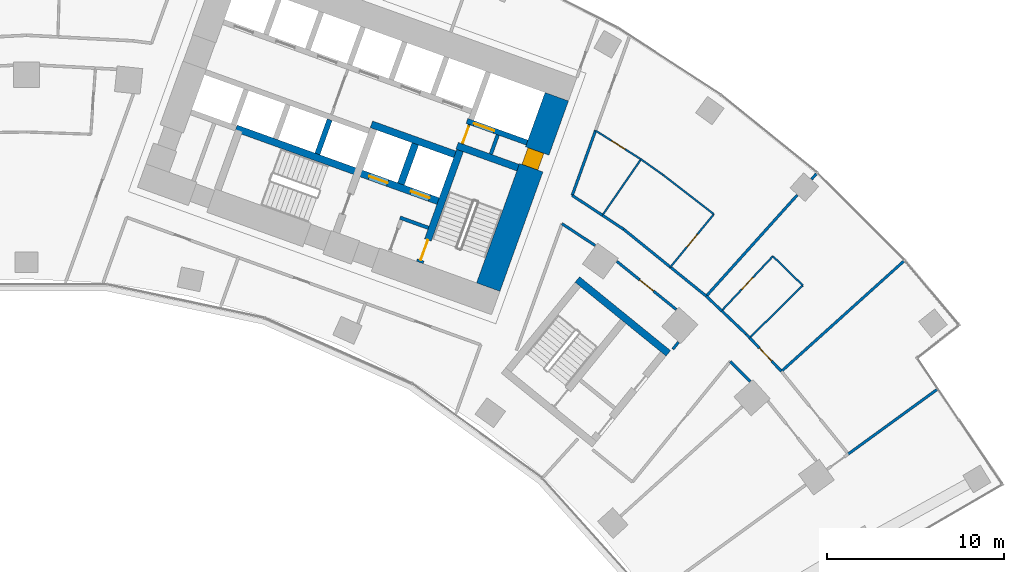
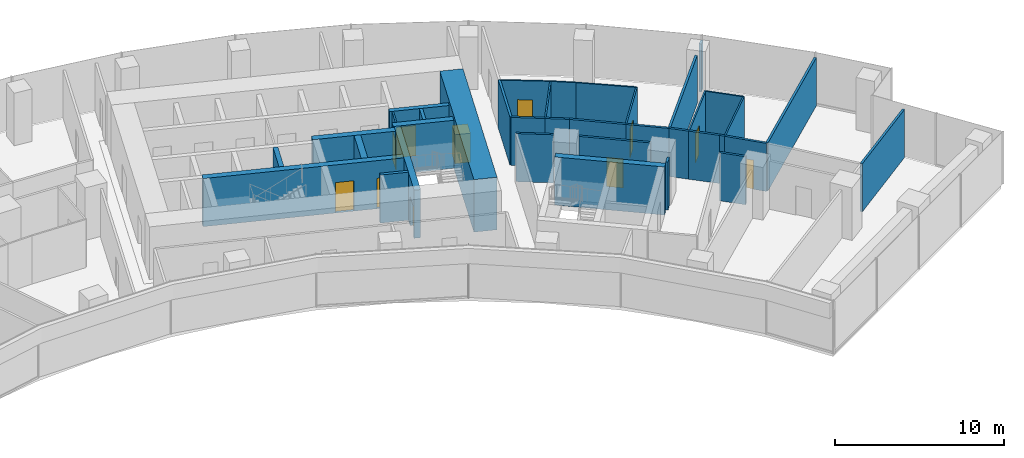
# One storey, part 17 of 21: 37 walls, 11 doors, 11 openings.
"""IFC4 building model written with IfcOpenShell, lengths in metres."""

from ifc_helpers import new_model, si_unit, direction, frame, frame_2d, origin, place, context, subcontext, project, spatial, rectangle, extrude, material, layer, layer_set, type_object, element, fill, save


model = new_model("IFC4")

# Units and contexts
model_context = context("Model", 3, precision=1e-05, world=origin(), true_north=direction((0.0, 1.0)))
body_context = subcontext(model_context, "Body", "Model", "MODEL_VIEW")
ifc_project = project(units=[si_unit("LENGTHUNIT", "METRE"), si_unit("AREAUNIT", "SQUARE_METRE"), si_unit("VOLUMEUNIT", "CUBIC_METRE"), si_unit("PLANEANGLEUNIT", "RADIAN"), si_unit("MASSUNIT", "GRAM", prefix="KILO")], contexts=[model_context])

# Site, building, storey
site_placement = place(None, origin())
site = spatial("IfcSite", under=ifc_project, at=site_placement, CompositionType="ELEMENT")
building_placement = place(site_placement, origin())
building = spatial("IfcBuilding", under=site, at=building_placement, Name="Stone Belt Terrace Tower", CompositionType="ELEMENT")
storey_placement = place(building_placement, frame((0.0, 0.0, 117.39990234375)))
storey = spatial("IfcBuildingStorey", under=building, at=storey_placement, Name="L28", CompositionType="ELEMENT", Elevation=117.39990234375)

# Wall, opening, door
ifc_material_1 = material(Name="Plasterboard partition")
ifc_layer_1 = layer(ifc_material_1, 0.10009765625)
ifc_layer_set_1 = layer_set([ifc_layer_1], Name="Core partition 100")
wall_type_1 = type_object("IfcWallType", Name="Core partition 100", PredefinedType="PARTITIONING", material=ifc_layer_set_1)
wall_1_placement = place(storey_placement, frame((24.555908203125, 51.10400390625, 0.0), z_axis=(0.0, 0.0, 1.0), x_axis=(0.338621735342, 0.94092258999, 0.0)))
wall_1 = element("IfcWall", 1, at=wall_1_placement, inside=storey, type_object=wall_type_1, Name="Core B wall", PredefinedType="PARTITIONING", context=body_context, shape_type="SweptSolid", body=[
    extrude(rectangle(XDim=1.14990234375, YDim=0.10009765625, at=frame_2d((0.574951171875, 0.0))), origin(), (0.0, 0.0, 1.0), 3.47998046875),
])
opening_1_placement = place(wall_1_placement, frame((0.050048828125, 0.0, 0.0)))
opening_1 = element("IfcOpeningElement", 2, at=opening_1_placement, cuts=wall_1, Name="Opening L28-C13", PredefinedType="OPENING", context=body_context, shape_type="SweptSolid", body=[
    extrude(rectangle(XDim=1.0, YDim=2.10009765625, at=frame_2d((0.5, 1.050048828125))), frame((0.0, 0.06005859375, 0.0), z_axis=(0.0, -1.0, 0.0), x_axis=(1.0, 0.0, 0.0)), (0.0, 0.0, 1.0), 0.1201171875),
])
ifc_material_2 = material(Name="Timber door leaf", Category="wood")
door_type_1 = type_object("IfcDoorType", Name="Core room door 1000", OperationType="SINGLE_SWING_LEFT", PredefinedType="DOOR", material=ifc_material_2)
door_1_placement = place(opening_1_placement, origin())
door_1 = element("IfcDoor", 3, at=door_1_placement, inside=storey, type_object=door_type_1, Name="Service lift lobby door core B", OperationType="SINGLE_SWING_RIGHT", OverallHeight=2.10009765625, OverallWidth=1.0, PredefinedType="DOOR", context=body_context, shape_type="SweptSolid", body=[
    extrude(rectangle(XDim=1.0, YDim=2.10009765625, at=frame_2d((0.5, 1.050048828125))), frame((0.0, 0.02490234375, 0.0), z_axis=(0.0, -1.0, 0.0), x_axis=(1.0, 0.0, 0.0)), (0.0, 0.0, 1.0), 0.050048828125),
])
fill(opening_1, door_1)

ifc_material_3 = material(Name="Concrete B80", Category="concrete")
ifc_layer_2 = layer(ifc_material_3, 1.39990234375)
ifc_layer_set_2 = layer_set([ifc_layer_2], Name="Core wall 1400 B80")
wall_type_2 = type_object("IfcWallType", Name="Core wall 1400 B80", PredefinedType="SHEAR", material=ifc_layer_set_2)
wall_2_placement = place(storey_placement, frame((26.00927734375, 43.03515625, 0.0), z_axis=(0.0, 0.0, 1.0), x_axis=(0.338625431531, 0.940921259788, 0.0)))
wall_2 = element("IfcWall", 4, at=wall_2_placement, inside=storey, type_object=wall_type_2, Name="Core B wall end_b L28", PredefinedType="SHEAR", context=body_context, shape_type="SweptSolid", body=[
    extrude(rectangle(XDim=11.400146484375, YDim=1.39990234375, at=frame_2d((5.7001953125, 0.0))), origin(), (0.0, 0.0, 1.0), 3.800048828125),
])
opening_2_placement = place(wall_2_placement, frame((7.14990234375, 0.0, 0.0)))
opening_2 = element("IfcOpeningElement", 5, at=opening_2_placement, cuts=wall_2, Name="Opening L28-C12", PredefinedType="OPENING", context=body_context, shape_type="SweptSolid", body=[
    extrude(rectangle(XDim=1.0, YDim=2.10009765625, at=frame_2d((0.5, 1.050048828125))), frame((0.0, 0.7099609375, 0.0), z_axis=(0.0, -1.0, 0.0), x_axis=(1.0, 0.0, 0.0)), (0.0, 0.0, 1.0), 1.419921875),
])
door_2_placement = place(opening_2_placement, origin())
door_2 = element("IfcDoor", 6, at=door_2_placement, inside=storey, type_object=door_type_1, Name="Door to Telecommunications riser room core B", OperationType="SINGLE_SWING_LEFT", OverallHeight=2.10009765625, OverallWidth=1.0, PredefinedType="DOOR", context=body_context, shape_type="SweptSolid", body=[
    extrude(rectangle(XDim=1.0, YDim=2.10009765625, at=frame_2d((0.5, 1.050048828125))), frame((0.0, 0.55517578125, 0.0), z_axis=(0.0, -1.0, 0.0), x_axis=(1.0, 0.0, 0.0)), (0.0, 0.0, 1.0), 0.949951171875),
])
fill(opening_2, door_2)

# Walls
ifc_layer_3 = layer(ifc_material_3, 0.39990234375)
ifc_layer_set_3 = layer_set([ifc_layer_3], Name="Fire-fighting lift shaft wall 400")
wall_type_3 = type_object("IfcWallType", Name="Fire-fighting lift shaft wall 400", PredefinedType="SHEAR", material=ifc_layer_set_3)
wall_3_placement = place(storey_placement, frame((24.130615234375, 50.512939453125, 0.0), z_axis=(0.0, 0.0, 1.0), x_axis=(-0.94091168377, 0.338652038744, 0.0)))
element("IfcWall", 7, at=wall_3_placement, inside=storey, type_object=wall_type_3, Name="Core B wall", PredefinedType="SHEAR", context=body_context, shape_type="SweptSolid", body=[
    extrude(rectangle(XDim=5.000244140625, YDim=0.39990234375, at=frame_2d((2.5, 0.0))), origin(), (0.0, 0.0, 1.0), 3.47998046875),
])
wall_4_placement = place(storey_placement, frame((21.0859375, 48.845458984375, 0.0), z_axis=(0.0, 0.0, 1.0), x_axis=(0.338629416206, 0.940919825745, 0.0)))
element("IfcWall", 8, at=wall_4_placement, inside=storey, type_object=wall_type_3, Name="Core B wall", PredefinedType="SHEAR", context=body_context, shape_type="SweptSolid", body=[
    extrude(rectangle(XDim=2.400146484375, YDim=0.39990234375, at=frame_2d((1.2001953125, 0.0))), origin(), (0.0, 0.0, 1.0), 3.47998046875),
])

# Wall, opening, door
ifc_layer_4 = layer(ifc_material_3, 0.300048828125)
ifc_layer_set_4 = layer_set([ifc_layer_4], Name="Lift shaft wall 300")
wall_type_4 = type_object("IfcWallType", Name="Lift shaft wall 300", PredefinedType="SHEAR", material=ifc_layer_set_4)
wall_5_placement = place(storey_placement, frame((28.195068359375, 51.17578125, 0.0), z_axis=(0.0, 0.0, 1.0), x_axis=(-0.940901243567, 0.338681044427, 0.0)))
wall_5 = element("IfcWall", 9, at=wall_5_placement, inside=storey, type_object=wall_type_4, Name="Core B wall", PredefinedType="SHEAR", context=body_context, shape_type="SweptSolid", body=[
    extrude(rectangle(XDim=3.599853515625, YDim=0.300048828125, at=frame_2d((1.7998046875, 0.0))), origin(), (0.0, 0.0, 1.0), 3.47998046875),
])
opening_3_placement = place(wall_5_placement, frame((1.969970703125, 0.0, 0.0)))
opening_3 = element("IfcOpeningElement", 10, at=opening_3_placement, cuts=wall_5, Name="Opening L28-LD18", PredefinedType="OPENING", context=body_context, shape_type="SweptSolid", body=[
    extrude(rectangle(XDim=1.199951171875, YDim=2.199951171875, at=frame_2d((0.60009765625, 1.10009765625))), frame((0.0, 0.159912109375, 0.0), z_axis=(0.0, -1.0, 0.0), x_axis=(1.0, 0.0, 0.0)), (0.0, 0.0, 1.0), 0.320068359375),
])
ifc_material_4 = material(Name="Stainless steel door leaf", Category="steel")
door_type_2 = type_object("IfcDoorType", Name="Landing door 1200", OperationType="SLIDING_TO_LEFT", PredefinedType="DOOR", material=ifc_material_4)
door_3_placement = place(opening_3_placement, origin())
door_3 = element("IfcDoor", 11, at=door_3_placement, inside=storey, type_object=door_type_2, Name="Landing door SV1 core B", OperationType="SLIDING_TO_LEFT", OverallHeight=2.199951171875, OverallWidth=1.199951171875, PredefinedType="DOOR", context=body_context, shape_type="SweptSolid", body=[
    extrude(rectangle(XDim=1.199951171875, YDim=2.199951171875, at=frame_2d((0.60009765625, 1.10009765625))), frame((0.0, 0.02490234375, 0.0), z_axis=(0.0, -1.0, 0.0), x_axis=(1.0, 0.0, 0.0)), (0.0, 0.0, 1.0), 0.050048828125),
])
fill(opening_3, door_3)

# Wall
wall_6_placement = place(storey_placement, frame((16.38134765625, 50.53857421875, 0.0), z_axis=(0.0, 0.0, 1.0), x_axis=(0.338681515556, 0.940901073982, 0.0)))
element("IfcWall", 12, at=wall_6_placement, inside=storey, type_object=wall_type_4, Name="Core B wall", PredefinedType="SHEAR", context=body_context, shape_type="SweptSolid", body=[
    extrude(rectangle(XDim=2.050048828125, YDim=0.300048828125, at=frame_2d((1.02490234375, 0.0))), origin(), (0.0, 0.0, 1.0), 3.47998046875),
])

# Wall, opening, door
ifc_material_5 = material(Name="Gypsum board partition")
ifc_layer_5 = layer(ifc_material_5, 0.10009765625)
ifc_layer_set_5 = layer_set([ifc_layer_5], Name="PARTITION 100")
wall_type_5 = type_object("IfcWallType", Name="PARTITION 100", PredefinedType="PARTITIONING", material=ifc_layer_set_5)
wall_7_placement = place(storey_placement, frame((34.614013671875, 50.237060546875, 0.0), z_axis=(0.0, 0.0, 1.0), x_axis=(-0.845571256143, 0.533862576686, 0.0)))
wall_7 = element("IfcWall", 13, at=wall_7_placement, inside=storey, type_object=wall_type_5, Name="L28/wall/i074", PredefinedType="PARTITIONING", context=body_context, shape_type="SweptSolid", body=[
    extrude(rectangle(XDim=3.02880859375, YDim=0.10009765625, at=frame_2d((1.514404296875, 0.0))), origin(), (0.0, 0.0, 1.0), 3.47998046875),
])
opening_4_placement = place(wall_7_placement, frame((1.064453125, 0.0, 0.0)))
opening_4 = element("IfcOpeningElement", 14, at=opening_4_placement, cuts=wall_7, Name="Opening D-B4-23", PredefinedType="OPENING", context=body_context, shape_type="SweptSolid", body=[
    extrude(rectangle(XDim=0.89990234375, YDim=2.10009765625, at=frame_2d((0.449951171875, 1.050048828125))), frame((0.0, 0.06005859375, 0.0), z_axis=(0.0, -1.0, 0.0), x_axis=(1.0, 0.0, 0.0)), (0.0, 0.0, 1.0), 0.1201171875),
])
door_type_3 = type_object("IfcDoorType", Name="OFFICE DOOR 900 X 2100", OperationType="NOTDEFINED", PredefinedType="DOOR", material=ifc_material_2)
door_4_placement = place(opening_4_placement, origin())
door_4 = element("IfcDoor", 15, at=door_4_placement, inside=storey, type_object=door_type_3, Name="L28/door/i23", OperationType="SINGLE_SWING_RIGHT", OverallHeight=2.10009765625, OverallWidth=0.89990234375, PredefinedType="DOOR", context=body_context, shape_type="SweptSolid", body=[
    extrude(rectangle(XDim=0.89990234375, YDim=2.10009765625, at=frame_2d((0.449951171875, 1.050048828125))), frame((0.0, 0.02490234375, 0.0), z_axis=(0.0, -1.0, 0.0), x_axis=(1.0, 0.0, 0.0)), (0.0, 0.0, 1.0), 0.050048828125),
])
fill(opening_4, door_4)

wall_8_placement = place(storey_placement, frame((36.27099609375, 44.162109375, 0.0), z_axis=(0.0, 0.0, 1.0), x_axis=(0.634542449737, 0.772888012251, 0.0)))
wall_8 = element("IfcWall", 16, at=wall_8_placement, inside=storey, type_object=wall_type_5, Name="L28/wall/i075", PredefinedType="PARTITIONING", context=body_context, shape_type="SweptSolid", body=[
    extrude(rectangle(XDim=3.859375, YDim=0.10009765625, at=frame_2d((1.9296875, 0.0))), origin(), (0.0, 0.0, 1.0), 3.47998046875),
])
opening_5_placement = place(wall_8_placement, frame((1.479736328125, 0.0, 0.0)))
opening_5 = element("IfcOpeningElement", 17, at=opening_5_placement, cuts=wall_8, Name="Opening D-B4-24", PredefinedType="OPENING", context=body_context, shape_type="SweptSolid", body=[
    extrude(rectangle(XDim=0.89990234375, YDim=2.10009765625, at=frame_2d((0.449951171875, 1.050048828125))), frame((0.0, 0.06005859375, 0.0), z_axis=(0.0, -1.0, 0.0), x_axis=(1.0, 0.0, 0.0)), (0.0, 0.0, 1.0), 0.1201171875),
])
door_5_placement = place(opening_5_placement, origin())
door_5 = element("IfcDoor", 18, at=door_5_placement, inside=storey, type_object=door_type_3, Name="L28/door/i24", OperationType="SINGLE_SWING_RIGHT", OverallHeight=2.10009765625, OverallWidth=0.89990234375, PredefinedType="DOOR", context=body_context, shape_type="SweptSolid", body=[
    extrude(rectangle(XDim=0.89990234375, YDim=2.10009765625, at=frame_2d((0.449951171875, 1.050048828125))), frame((0.0, 0.02490234375, 0.0), z_axis=(0.0, -1.0, 0.0), x_axis=(1.0, 0.0, 0.0)), (0.0, 0.0, 1.0), 0.050048828125),
])
fill(opening_5, door_5)

# Walls
wall_9_placement = place(storey_placement, frame((38.719970703125, 47.14501953125, 0.0), z_axis=(0.0, 0.0, 1.0), x_axis=(-0.79127163688, 0.611464795937, 0.0)))
element("IfcWall", 19, at=wall_9_placement, inside=storey, type_object=wall_type_5, Name="L28/wall/i076", PredefinedType="PARTITIONING", context=body_context, shape_type="SweptSolid", body=[
    extrude(rectangle(XDim=3.61572265625, YDim=0.10009765625, at=frame_2d((1.807861328125, 0.0))), origin(), (0.0, 0.0, 1.0), 3.47998046875),
])
wall_10_placement = place(storey_placement, frame((35.85888671875, 49.35595703125, 0.0), z_axis=(0.0, 0.0, 1.0), x_axis=(-0.816235210983, 0.577719724738, 0.0)))
element("IfcWall", 20, at=wall_10_placement, inside=storey, type_object=wall_type_5, Name="L28/wall/i077", PredefinedType="PARTITIONING", context=body_context, shape_type="SweptSolid", body=[
    extrude(rectangle(XDim=1.525146484375, YDim=0.10009765625, at=frame_2d((0.7626953125, 0.0))), origin(), (0.0, 0.0, 1.0), 3.47998046875),
])
wall_11_placement = place(storey_placement, frame((34.614013671875, 50.237060546875, 0.0), z_axis=(0.0, 0.0, 1.0), x_axis=(-0.567359028554, -0.8234705415, 0.0)))
element("IfcWall", 21, at=wall_11_placement, inside=storey, type_object=wall_type_5, Name="L28/wall/i080", PredefinedType="PARTITIONING", context=body_context, shape_type="SweptSolid", body=[
    extrude(rectangle(XDim=3.830078125, YDim=0.10009765625, at=frame_2d((1.9150390625, 0.0))), origin(), (0.0, 0.0, 1.0), 3.47998046875),
])
wall_12_placement = place(storey_placement, frame((40.739013671875, 40.177978515625, 0.0), z_axis=(0.0, 0.0, 1.0), x_axis=(0.711968437206, 0.702211467025, 0.0)))
element("IfcWall", 22, at=wall_12_placement, inside=storey, type_object=wall_type_5, Name="L28/wall/i081", PredefinedType="PARTITIONING", context=body_context, shape_type="SweptSolid", body=[
    extrude(rectangle(XDim=4.20361328125, YDim=0.10009765625, at=frame_2d((2.101806640625, 0.0))), origin(), (0.0, 0.0, 1.0), 3.47998046875),
])
wall_13_placement = place(storey_placement, frame((43.73193359375, 43.1298828125, 0.0), z_axis=(0.0, 0.0, 1.0), x_axis=(-0.715754165889, 0.698352327992, 0.0)))
element("IfcWall", 23, at=wall_13_placement, inside=storey, type_object=wall_type_5, Name="L28/wall/i082", PredefinedType="PARTITIONING", context=body_context, shape_type="SweptSolid", body=[
    extrude(rectangle(XDim=2.35693359375, YDim=0.10009765625, at=frame_2d((1.178466796875, 0.0))), origin(), (0.0, 0.0, 1.0), 3.47998046875),
])

# Wall, opening, door
wall_14_placement = place(storey_placement, frame((42.044921875, 44.77587890625, 0.0), z_axis=(0.0, 0.0, 1.0), x_axis=(-0.684585990475, -0.72893211045, 0.0)))
wall_14 = element("IfcWall", 24, at=wall_14_placement, inside=storey, type_object=wall_type_5, Name="L28/wall/i083", PredefinedType="PARTITIONING", context=body_context, shape_type="SweptSolid", body=[
    extrude(rectangle(XDim=4.217041015625, YDim=0.10009765625, at=frame_2d((2.1083984375, 0.0))), origin(), (0.0, 0.0, 1.0), 3.47998046875),
])
opening_6_placement = place(wall_14_placement, frame((1.658447265625, 0.0, 0.0)))
opening_6 = element("IfcOpeningElement", 25, at=opening_6_placement, cuts=wall_14, Name="Opening D-B4-26", PredefinedType="OPENING", context=body_context, shape_type="SweptSolid", body=[
    extrude(rectangle(XDim=0.89990234375, YDim=2.10009765625, at=frame_2d((0.449951171875, 1.050048828125))), frame((0.0, 0.06005859375, 0.0), z_axis=(0.0, -1.0, 0.0), x_axis=(1.0, 0.0, 0.0)), (0.0, 0.0, 1.0), 0.1201171875),
])
door_6_placement = place(opening_6_placement, origin())
door_6 = element("IfcDoor", 26, at=door_6_placement, inside=storey, type_object=door_type_3, Name="L28/door/i26", OperationType="SINGLE_SWING_RIGHT", OverallHeight=2.10009765625, OverallWidth=0.89990234375, PredefinedType="DOOR", context=body_context, shape_type="SweptSolid", body=[
    extrude(rectangle(XDim=0.89990234375, YDim=2.10009765625, at=frame_2d((0.449951171875, 1.050048828125))), frame((0.0, 0.02490234375, 0.0), z_axis=(0.0, -1.0, 0.0), x_axis=(1.0, 0.0, 0.0)), (0.0, 0.0, 1.0), 0.050048828125),
])
fill(opening_6, door_6)

# Walls
ifc_layer_6 = layer(ifc_material_5, 0.14990234375)
ifc_layer_set_6 = layer_set([ifc_layer_6], Name="PARTITION 150 EI 60")
wall_type_6 = type_object("IfcWallType", Name="PARTITION 150 EI 60", PredefinedType="PARTITIONING", material=ifc_layer_set_6)
wall_15_placement = place(storey_placement, frame((32.054931640625, 51.860107421875, 0.0), z_axis=(0.0, 0.0, 1.0), x_axis=(-0.33852847769, -0.940956146583, 0.0)))
element("IfcWall", 27, at=wall_15_placement, inside=storey, type_object=wall_type_6, Name="L28/wall/i030", PredefinedType="PARTITIONING", context=body_context, shape_type="SweptSolid", body=[
    extrude(rectangle(XDim=3.892822265625, YDim=0.14990234375, at=frame_2d((1.9462890625, 0.0))), origin(), (0.0, 0.0, 1.0), 3.47998046875),
])
wall_16_placement = place(storey_placement, frame((46.291015625, 33.632080078125, 0.0), z_axis=(0.0, 0.0, 1.0), x_axis=(0.809007988274, 0.587797647927, 0.0)))
element("IfcWall", 28, at=wall_16_placement, inside=storey, type_object=wall_type_6, Name="L28/wall/i056", PredefinedType="PARTITIONING", context=body_context, shape_type="SweptSolid", body=[
    extrude(rectangle(XDim=6.171630859375, YDim=0.14990234375, at=frame_2d((3.0859375, 0.0))), origin(), (0.0, 0.0, 1.0), 3.47998046875),
])

# Wall, opening, door
wall_17_placement = place(storey_placement, frame((36.599365234375, 41.77587890625, 0.0), z_axis=(0.0, 0.0, 1.0), x_axis=(-0.777153738144, 0.62931078752, 0.0)))
wall_17 = element("IfcWall", 29, at=wall_17_placement, inside=storey, type_object=wall_type_6, Name="L28/wall/i057", PredefinedType="PARTITIONING", context=body_context, shape_type="SweptSolid", body=[
    extrude(rectangle(XDim=4.30517578125, YDim=0.14990234375, at=frame_2d((2.152587890625, 0.0))), origin(), (0.0, 0.0, 1.0), 3.47998046875),
])
opening_7_placement = place(wall_17_placement, frame((1.652587890625, 0.0, 0.0)))
opening_7 = element("IfcOpeningElement", 30, at=opening_7_placement, cuts=wall_17, Name="Opening D-B4-19", PredefinedType="OPENING", context=body_context, shape_type="SweptSolid", body=[
    extrude(rectangle(XDim=1.0, YDim=2.10009765625, at=frame_2d((0.5, 1.050048828125))), frame((0.0, 0.0849609375, 0.0), z_axis=(0.0, -1.0, 0.0), x_axis=(1.0, 0.0, 0.0)), (0.0, 0.0, 1.0), 0.169921875),
])
ifc_material_6 = material(Name="Timber fire door leaf", Category="wood")
door_type_4 = type_object("IfcDoorType", Name="TENANCY ENTRANCE DOOR 1000 X 2100", OperationType="NOTDEFINED", PredefinedType="DOOR", material=ifc_material_6)
door_7_placement = place(opening_7_placement, origin())
door_7 = element("IfcDoor", 31, at=door_7_placement, inside=storey, type_object=door_type_4, Name="L28/door/i19", OperationType="SINGLE_SWING_RIGHT", OverallHeight=2.10009765625, OverallWidth=1.0, PredefinedType="DOOR", context=body_context, shape_type="SweptSolid", body=[
    extrude(rectangle(XDim=1.0, YDim=2.10009765625, at=frame_2d((0.5, 1.050048828125))), frame((0.0, 0.02490234375, 0.0), z_axis=(0.0, -1.0, 0.0), x_axis=(1.0, 0.0, 0.0)), (0.0, 0.0, 1.0), 0.050048828125),
])
fill(opening_7, door_7)

# Walls
wall_18_placement = place(storey_placement, frame((32.03466796875, 45.37646484375, 0.0), z_axis=(0.0, 0.0, 1.0), x_axis=(-0.835456606052, 0.549556420583, 0.0)))
element("IfcWall", 32, at=wall_18_placement, inside=storey, type_object=wall_type_6, Name="L28/wall/i058", PredefinedType="PARTITIONING", context=body_context, shape_type="SweptSolid", body=[
    extrude(rectangle(XDim=2.239013671875, YDim=0.14990234375, at=frame_2d((1.11962890625, 0.0))), origin(), (0.0, 0.0, 1.0), 3.47998046875),
])
wall_19_placement = place(storey_placement, frame((36.26611328125, 44.166015625, 0.0), z_axis=(0.0, 0.0, 1.0), x_axis=(0.777070293826, -0.629413821307, 0.0)))
element("IfcWall", 33, at=wall_19_placement, inside=storey, type_object=wall_type_6, Name="L28/wall/i059", PredefinedType="PARTITIONING", context=body_context, shape_type="SweptSolid", body=[
    extrude(rectangle(XDim=2.605712890625, YDim=0.14990234375, at=frame_2d((1.302734375, 0.0))), origin(), (0.0, 0.0, 1.0), 3.47998046875),
])
wall_20_placement = place(storey_placement, frame((30.739013671875, 48.202880859375, 0.0), z_axis=(0.0, 0.0, 1.0), x_axis=(0.835471942852, -0.549533104287, 0.0)))
element("IfcWall", 34, at=wall_20_placement, inside=storey, type_object=wall_type_6, Name="L28/wall/i060", PredefinedType="PARTITIONING", context=body_context, shape_type="SweptSolid", body=[
    extrude(rectangle(XDim=2.043212890625, YDim=0.14990234375, at=frame_2d((1.021484375, 0.0))), origin(), (0.0, 0.0, 1.0), 3.47998046875),
])
wall_21_placement = place(storey_placement, frame((32.43603515625, 47.0859375, 0.0), z_axis=(0.0, 0.0, 1.0), x_axis=(0.835226071564, -0.549906727891, 0.0)))
element("IfcWall", 35, at=wall_21_placement, inside=storey, type_object=wall_type_6, Name="L28/wall/i061", PredefinedType="PARTITIONING", context=body_context, shape_type="SweptSolid", body=[
    extrude(rectangle(XDim=1.436767578125, YDim=0.14990234375, at=frame_2d((0.71826171875, 0.0))), origin(), (0.0, 0.0, 1.0), 3.47998046875),
])
wall_22_placement = place(storey_placement, frame((33.635986328125, 46.2958984375, 0.0), z_axis=(0.0, 0.0, 1.0), x_axis=(0.777003753109, -0.629495963176, 0.0)))
element("IfcWall", 36, at=wall_22_placement, inside=storey, type_object=wall_type_6, Name="L28/wall/i062", PredefinedType="PARTITIONING", context=body_context, shape_type="SweptSolid", body=[
    extrude(rectangle(XDim=3.396240234375, YDim=0.14990234375, at=frame_2d((1.6982421875, 0.0))), origin(), (0.0, 0.0, 1.0), 3.47998046875),
])
wall_23_placement = place(storey_placement, frame((38.291015625, 42.52587890625, 0.0), z_axis=(0.0, 0.0, 1.0), x_axis=(0.724857396482, -0.688898943798, 0.0)))
element("IfcWall", 37, at=wall_23_placement, inside=storey, type_object=wall_type_6, Name="L28/wall/i063", PredefinedType="PARTITIONING", context=body_context, shape_type="SweptSolid", body=[
    extrude(rectangle(XDim=1.20166015625, YDim=0.14990234375, at=frame_2d((0.600830078125, 0.0))), origin(), (0.0, 0.0, 1.0), 3.47998046875),
])
wall_24_placement = place(storey_placement, frame((39.154052734375, 41.7060546875, 0.0), z_axis=(0.0, 0.0, 1.0), x_axis=(0.724717453014, -0.689046161949, 0.0)))
element("IfcWall", 38, at=wall_24_placement, inside=storey, type_object=wall_type_6, Name="L28/wall/i064", PredefinedType="PARTITIONING", context=body_context, shape_type="SweptSolid", body=[
    extrude(rectangle(XDim=1.902587890625, YDim=0.14990234375, at=frame_2d((0.951171875, 0.0))), origin(), (0.0, 0.0, 1.0), 3.47998046875),
])
wall_25_placement = place(storey_placement, frame((40.765625, 37.721435546875, 0.0), z_axis=(0.0, 0.0, 1.0), x_axis=(-0.707106781187, 0.707106781187, 0.0)))
element("IfcWall", 39, at=wall_25_placement, inside=storey, type_object=wall_type_6, Name="L28/wall/i065", PredefinedType="PARTITIONING", context=body_context, shape_type="SweptSolid", body=[
    extrude(rectangle(XDim=1.587646484375, YDim=0.14990234375, at=frame_2d((0.7939453125, 0.0))), origin(), (0.0, 0.0, 1.0), 3.47998046875),
])

# Wall, opening, door
wall_26_placement = place(storey_placement, frame((40.735107421875, 40.181884765625, 0.0), z_axis=(0.0, 0.0, 1.0), x_axis=(0.687627627424, -0.726063527526, 0.0)))
wall_26 = element("IfcWall", 40, at=wall_26_placement, inside=storey, type_object=wall_type_6, Name="L28/wall/i067", PredefinedType="PARTITIONING", context=body_context, shape_type="SweptSolid", body=[
    extrude(rectangle(XDim=2.604248046875, YDim=0.14990234375, at=frame_2d((1.30224609375, 0.0))), origin(), (0.0, 0.0, 1.0), 3.47998046875),
])
opening_8_placement = place(wall_26_placement, frame((0.80224609375, 0.0, 0.0)))
opening_8 = element("IfcOpeningElement", 41, at=opening_8_placement, cuts=wall_26, Name="Opening D-B4-25", PredefinedType="OPENING", context=body_context, shape_type="SweptSolid", body=[
    extrude(rectangle(XDim=1.0, YDim=2.10009765625, at=frame_2d((0.5, 1.050048828125))), frame((0.0, 0.0849609375, 0.0), z_axis=(0.0, -1.0, 0.0), x_axis=(1.0, 0.0, 0.0)), (0.0, 0.0, 1.0), 0.169921875),
])
door_8_placement = place(opening_8_placement, origin())
door_8 = element("IfcDoor", 42, at=door_8_placement, inside=storey, type_object=door_type_4, Name="L28/door/i25", OperationType="SINGLE_SWING_RIGHT", OverallHeight=2.10009765625, OverallWidth=1.0, PredefinedType="DOOR", context=body_context, shape_type="SweptSolid", body=[
    extrude(rectangle(XDim=1.0, YDim=2.10009765625, at=frame_2d((0.5, 1.050048828125))), frame((0.0, 0.02490234375, 0.0), z_axis=(0.0, -1.0, 0.0), x_axis=(1.0, 0.0, 0.0)), (0.0, 0.0, 1.0), 0.050048828125),
])
fill(opening_8, door_8)

# Walls
wall_27_placement = place(storey_placement, frame((40.532958984375, 40.39501953125, 0.0), z_axis=(0.0, 0.0, 1.0), x_axis=(0.68885471009, -0.724899433292, 0.0)))
element("IfcWall", 43, at=wall_27_placement, inside=storey, type_object=wall_type_6, Name="L28/wall/i068", PredefinedType="PARTITIONING", context=body_context, shape_type="SweptSolid", body=[
    extrude(rectangle(XDim=0.3046875, YDim=0.14990234375, at=frame_2d((0.15234375, 0.0))), origin(), (0.0, 0.0, 1.0), 3.47998046875),
])
wall_28_placement = place(storey_placement, frame((36.406005859375, 39.537109375, 0.0), z_axis=(0.0, 0.0, 1.0), x_axis=(0.630355285391, 0.776306778393, 0.0)))
element("IfcWall", 44, at=wall_28_placement, inside=storey, type_object=wall_type_6, Name="L28/wall/i070", PredefinedType="PARTITIONING", context=body_context, shape_type="SweptSolid", body=[
    extrude(rectangle(XDim=0.50341796875, YDim=0.14990234375, at=frame_2d((0.251708984375, 0.0))), origin(), (0.0, 0.0, 1.0), 3.47998046875),
])
wall_29_placement = place(storey_placement, frame((44.496826171875, 49.41943359375, 0.0), z_axis=(0.0, 0.0, 1.0), x_axis=(-0.668865119487, -0.74338378509, 0.0)))
element("IfcWall", 45, at=wall_29_placement, inside=storey, type_object=wall_type_6, Name="L28/wall/i078", PredefinedType="PARTITIONING", context=body_context, shape_type="SweptSolid", body=[
    extrude(rectangle(XDim=0.40625, YDim=0.14990234375, at=frame_2d((0.203125, 0.0))), origin(), (0.0, 0.0, 1.0), 3.47998046875),
])
wall_30_placement = place(storey_placement, frame((43.41552734375, 48.21826171875, 0.0), z_axis=(0.0, 0.0, 1.0), x_axis=(-0.669063345565, -0.743205381857, 0.0)))
element("IfcWall", 46, at=wall_30_placement, inside=storey, type_object=wall_type_6, Name="L28/wall/i079", PredefinedType="PARTITIONING", context=body_context, shape_type="SweptSolid", body=[
    extrude(rectangle(XDim=7.6591796875, YDim=0.14990234375, at=frame_2d((3.82958984375, 0.0))), origin(), (0.0, 0.0, 1.0), 3.47998046875),
])
wall_31_placement = place(storey_placement, frame((49.41943359375, 44.496826171875, 0.0), z_axis=(0.0, 0.0, 1.0), x_axis=(-0.743207759706, -0.669060704206, 0.0)))
element("IfcWall", 47, at=wall_31_placement, inside=storey, type_object=wall_type_6, Name="L28/wall/i084", PredefinedType="PARTITIONING", context=body_context, shape_type="SweptSolid", body=[
    extrude(rectangle(XDim=9.275390625, YDim=0.14990234375, at=frame_2d((4.6376953125, 0.0))), origin(), (0.0, 0.0, 1.0), 3.47998046875),
])
ifc_material_7 = material(Name="Concrete masonry block", Category="masonry")
ifc_layer_7 = layer(ifc_material_7, 0.199951171875)
ifc_layer_set_7 = layer_set([ifc_layer_7], Name="Rated lobby wall 200")
wall_type_7 = type_object("IfcWallType", Name="Rated lobby wall 200", PredefinedType="PARTITIONING", material=ifc_layer_set_7)
wall_32_placement = place(storey_placement, frame((26.1552734375, 50.5283203125, 0.0), z_axis=(0.0, 0.0, 1.0), x_axis=(0.338621735342, 0.94092258999, 0.0)))
element("IfcWall", 48, at=wall_32_placement, inside=storey, type_object=wall_type_7, Name="Core B wall", PredefinedType="PARTITIONING", context=body_context, shape_type="SweptSolid", body=[
    extrude(rectangle(XDim=1.14990234375, YDim=0.199951171875, at=frame_2d((0.574951171875, 0.0))), origin(), (0.0, 0.0, 1.0), 3.47998046875),
])
wall_33_placement = place(storey_placement, frame((22.640625, 46.373046875, 0.0), z_axis=(0.0, 0.0, 1.0), x_axis=(-0.940966110313, 0.338500781747, 0.0)))
element("IfcWall", 49, at=wall_33_placement, inside=storey, type_object=wall_type_7, Name="Core B wall", PredefinedType="PARTITIONING", context=body_context, shape_type="SweptSolid", body=[
    extrude(rectangle(XDim=1.699951171875, YDim=0.199951171875, at=frame_2d((0.85009765625, 0.0))), origin(), (0.0, 0.0, 1.0), 3.47998046875),
])
ifc_layer_8 = layer(ifc_material_3, 0.39990234375)
ifc_layer_set_8 = layer_set([ifc_layer_8], Name="Stair enclosure wall 400")
wall_type_8 = type_object("IfcWallType", Name="Stair enclosure wall 400", PredefinedType="SHEAR", material=ifc_layer_set_8)
wall_34_placement = place(storey_placement, frame((27.687255859375, 49.764404296875, 0.0), z_axis=(0.0, 0.0, 1.0), x_axis=(-0.940918954884, 0.338631835981, 0.0)))
element("IfcWall", 50, at=wall_34_placement, inside=storey, type_object=wall_type_8, Name="Core B wall", PredefinedType="SHEAR", context=body_context, shape_type="SweptSolid", body=[
    extrude(rectangle(XDim=3.650146484375, YDim=0.39990234375, at=frame_2d((1.8251953125, 0.0))), origin(), (0.0, 0.0, 1.0), 3.47998046875),
])

# Wall, opening, door
wall_35_placement = place(storey_placement, frame((22.151611328125, 44.42333984375, 0.0), z_axis=(0.0, 0.0, 1.0), x_axis=(0.338625272931, 0.940921316866, 0.0)))
wall_35 = element("IfcWall", 51, at=wall_35_placement, inside=storey, type_object=wall_type_8, Name="Core B wall", PredefinedType="SHEAR", context=body_context, shape_type="SweptSolid", body=[
    extrude(rectangle(XDim=6.699951171875, YDim=0.39990234375, at=frame_2d((3.35009765625, 0.0))), origin(), (0.0, 0.0, 1.0), 3.47998046875),
])
opening_9_placement = place(wall_35_placement, frame((0.14990234375, 0.0, 0.0)))
opening_9 = element("IfcOpeningElement", 52, at=opening_9_placement, cuts=wall_35, Name="Opening L28-C16", PredefinedType="OPENING", context=body_context, shape_type="SweptSolid", body=[
    extrude(rectangle(XDim=1.199951171875, YDim=2.10009765625, at=frame_2d((0.60009765625, 1.050048828125))), frame((0.0, 0.2099609375, 0.0), z_axis=(0.0, -1.0, 0.0), x_axis=(1.0, 0.0, 0.0)), (0.0, 0.0, 1.0), 0.419921875),
])
ifc_material_8 = material(Name="Steel door leaf", Category="steel")
door_type_5 = type_object("IfcDoorType", Name="Stair door 1200", OperationType="SINGLE_SWING_LEFT", PredefinedType="DOOR", material=ifc_material_8)
door_9_placement = place(opening_9_placement, origin())
door_9 = element("IfcDoor", 53, at=door_9_placement, inside=storey, type_object=door_type_5, Name="Stair 1 door core B", OperationType="SINGLE_SWING_RIGHT", OverallHeight=2.10009765625, OverallWidth=1.199951171875, PredefinedType="DOOR", context=body_context, shape_type="SweptSolid", body=[
    extrude(rectangle(XDim=1.199951171875, YDim=2.10009765625, at=frame_2d((0.60009765625, 1.050048828125))), frame((0.0, 0.02490234375, 0.0), z_axis=(0.0, -1.0, 0.0), x_axis=(1.0, 0.0, 0.0)), (0.0, 0.0, 1.0), 0.050048828125),
])
fill(opening_9, door_9)

# Wall, openings, doors
wall_36_placement = place(storey_placement, frame((23.182373046875, 47.87841796875, 0.0), z_axis=(0.0, 0.0, 1.0), x_axis=(-0.940921101762, 0.338625870628, 0.0)))
wall_36 = element("IfcWall", 54, at=wall_36_placement, inside=storey, type_object=wall_type_8, Name="Core B wall", PredefinedType="SHEAR", context=body_context, shape_type="SweptSolid", body=[
    extrude(rectangle(XDim=12.10009765625, YDim=0.39990234375, at=frame_2d((6.050048828125, 0.0))), origin(), (0.0, 0.0, 1.0), 3.47998046875),
])
opening_10_placement = place(wall_36_placement, frame((0.52001953125, 0.0, 0.0)))
opening_10 = element("IfcOpeningElement", 55, at=opening_10_placement, cuts=wall_36, Name="Opening L28-LD16", PredefinedType="OPENING", context=body_context, shape_type="SweptSolid", body=[
    extrude(rectangle(XDim=1.10009765625, YDim=2.199951171875, at=frame_2d((0.550048828125, 1.10009765625))), frame((0.0, 0.2099609375, 0.0), z_axis=(0.0, -1.0, 0.0), x_axis=(1.0, 0.0, 0.0)), (0.0, 0.0, 1.0), 0.419921875),
])
opening_11_placement = place(wall_36_placement, frame((3.02001953125, 0.0, 0.0)))
opening_11 = element("IfcOpeningElement", 56, at=opening_11_placement, cuts=wall_36, Name="Opening L28-LD17", PredefinedType="OPENING", context=body_context, shape_type="SweptSolid", body=[
    extrude(rectangle(XDim=1.10009765625, YDim=2.199951171875, at=frame_2d((0.550048828125, 1.10009765625))), frame((0.0, 0.2099609375, 0.0), z_axis=(0.0, -1.0, 0.0), x_axis=(1.0, 0.0, 0.0)), (0.0, 0.0, 1.0), 0.419921875),
])
door_type_6 = type_object("IfcDoorType", Name="Landing door 1100", OperationType="SLIDING_TO_LEFT", PredefinedType="DOOR", material=ifc_material_4)
door_10_placement = place(opening_10_placement, origin())
door_10 = element("IfcDoor", 57, at=door_10_placement, inside=storey, type_object=door_type_6, Name="Landing door FF1 core B", OperationType="SLIDING_TO_LEFT", OverallHeight=2.199951171875, OverallWidth=1.10009765625, PredefinedType="DOOR", context=body_context, shape_type="SweptSolid", body=[
    extrude(rectangle(XDim=1.10009765625, YDim=2.199951171875, at=frame_2d((0.550048828125, 1.10009765625))), frame((0.0, 0.02490234375, 0.0), z_axis=(0.0, -1.0, 0.0), x_axis=(1.0, 0.0, 0.0)), (0.0, 0.0, 1.0), 0.050048828125),
])
fill(opening_10, door_10)
door_11_placement = place(opening_11_placement, origin())
door_11 = element("IfcDoor", 58, at=door_11_placement, inside=storey, type_object=door_type_6, Name="Landing door FF2 core B", OperationType="SLIDING_TO_LEFT", OverallHeight=2.199951171875, OverallWidth=1.10009765625, PredefinedType="DOOR", context=body_context, shape_type="SweptSolid", body=[
    extrude(rectangle(XDim=1.10009765625, YDim=2.199951171875, at=frame_2d((0.550048828125, 1.10009765625))), frame((0.0, 0.02490234375, 0.0), z_axis=(0.0, -1.0, 0.0), x_axis=(1.0, 0.0, 0.0)), (0.0, 0.0, 1.0), 0.050048828125),
])
fill(opening_11, door_11)

# Wall
wall_37_placement = place(storey_placement, frame((31.02783203125, 43.46337890625, 0.0), z_axis=(0.0, 0.0, 1.0), x_axis=(0.776413760801, -0.630223509589, 0.0)))
element("IfcWall", 59, at=wall_37_placement, inside=storey, type_object=wall_type_8, Name="Exit stair ST3B wall", PredefinedType="SHEAR", context=body_context, shape_type="SweptSolid", body=[
    extrude(rectangle(XDim=6.599853515625, YDim=0.39990234375, at=frame_2d((3.2998046875, 0.0))), origin(), (0.0, 0.0, 1.0), 3.47998046875),
])

save(model, "model.ifc")
